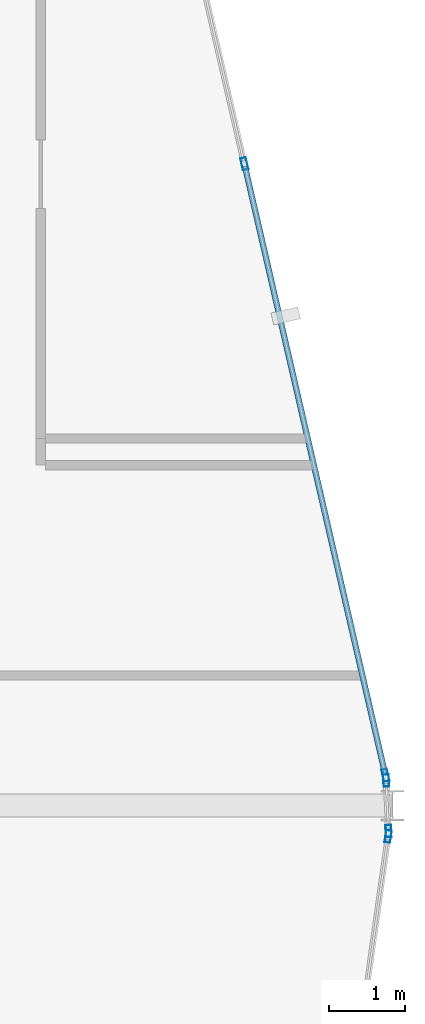
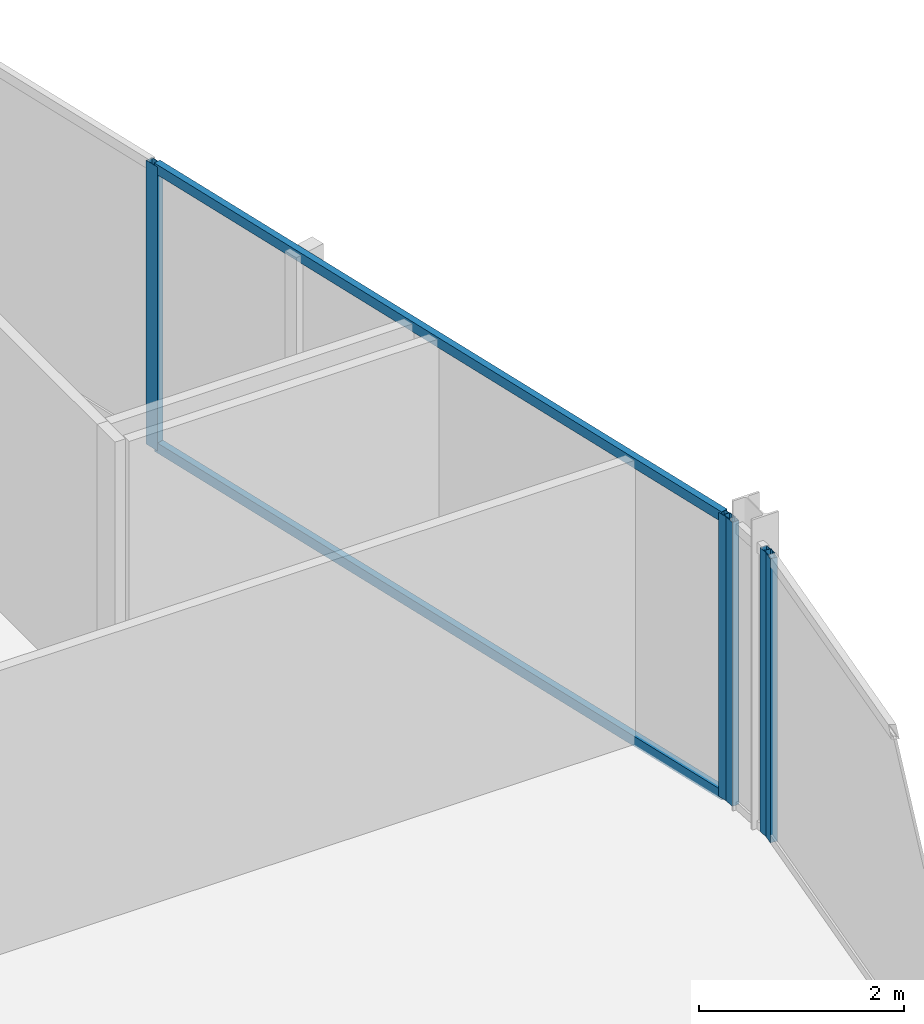
# One storey, part 14 of 28: 7 members, 3 elements without a shape of their own.
"""IFC4 building model written with IfcOpenShell, lengths in metres."""

from ifc_helpers import new_model, si_unit, direction, frame, origin, origin_2d, place, context, subcontext, project, spatial, hollow_rectangle, extrude, material, layer, layer_set, material_profile, profile_set, type_object, element, aggregate, save


model = new_model("IFC4")

# Units and contexts
model_context = context("Model", 3, precision=1e-05, world=origin(), true_north=direction((0.0, 1.0)))
body_context = subcontext(model_context, "Body", "Model", "MODEL_VIEW")
ifc_project = project(units=[si_unit("LENGTHUNIT", "METRE"), si_unit("AREAUNIT", "SQUARE_METRE"), si_unit("VOLUMEUNIT", "CUBIC_METRE"), si_unit("PLANEANGLEUNIT", "RADIAN"), si_unit("MASSUNIT", "GRAM", prefix="KILO")], contexts=[model_context])

# Site, building, storey
site_placement = place(None, origin())
site = spatial("IfcSite", under=ifc_project, at=site_placement, CompositionType="ELEMENT")
building_placement = place(site_placement, origin())
building = spatial("IfcBuilding", under=site, at=building_placement, Name="Keshet Zoharim Tower", CompositionType="ELEMENT")
storey_placement = place(building_placement, frame((0.0, 0.0, 251.0)))
storey = spatial("IfcBuildingStorey", under=building, at=storey_placement, Name="L62", CompositionType="ELEMENT", Elevation=251.0)

# Curtain wall, members
ifc_material = material(Name="Aluminium 6063-T6", Category="aluminium")
ifc_layer = layer(ifc_material, 0.260009765625)
ifc_layer_set = layer_set([ifc_layer], Name="Aluminium 6063-T6")
curtain_wall_type = type_object("IfcCurtainWallType", Name="CW-SYS-06", PredefinedType="NOTDEFINED", material=ifc_layer_set)
curtain_wall_1_placement = place(storey_placement, origin())
curtain_wall_1 = element("IfcCurtainWall", 1, at=curtain_wall_1_placement, inside=storey, type_object=curtain_wall_type, Name="L62 Unitised Curtain Wall 09", PredefinedType="NOTDEFINED")
ifc_material_profile_1 = material_profile(ifc_material, hollow_rectangle(XDim=0.074951171875, YDim=0.159912109375, WallThickness=0.00390625, at=origin_2d()), Name="MUL-75x160")
ifc_profile_set_1 = profile_set([ifc_material_profile_1], Name="Aluminium 6063-T6")
member_type_1 = type_object("IfcMemberType", Name="CWM-M15", PredefinedType="MULLION", material=ifc_profile_set_1)
member_1_placement = place(storey_placement, frame((43.063232421875, 36.291259765625, 0.0), z_axis=(0.0, 0.0, 1.0), x_axis=(0.974398012932, 0.224829963294, 0.0)))
member_1 = element("IfcMember", 2, at=member_1_placement, type_object=member_type_1, Name="CW-06 mullion 3", PredefinedType="MULLION", context=body_context, shape_type="SweptSolid", body=[
    extrude(hollow_rectangle(XDim=0.074951171875, YDim=0.159912109375, WallThickness=0.00390625, at=origin_2d()), origin(), (0.0, 0.0, 1.0), 3.389892578125),
])
member_2_placement = place(storey_placement, frame((44.908203125, 28.296142578125, 0.0), z_axis=(0.0, 0.0, 1.0), x_axis=(0.974398012932, 0.224829963294, 0.0)))
member_2 = element("IfcMember", 3, at=member_2_placement, type_object=member_type_1, Name="CW-06 mullion 4", PredefinedType="MULLION", context=body_context, shape_type="SweptSolid", body=[
    extrude(hollow_rectangle(XDim=0.074951171875, YDim=0.159912109375, WallThickness=0.00390625, at=origin_2d()), origin(), (0.0, 0.0, 1.0), 3.389892578125),
])

curtain_wall_2_placement = place(storey_placement, origin())
curtain_wall_2 = element("IfcCurtainWall", 4, at=curtain_wall_2_placement, inside=storey, type_object=curtain_wall_type, Name="L62 Unitised Curtain Wall 10", PredefinedType="NOTDEFINED")
member_3_placement = place(storey_placement, frame((44.91748046875, 28.22705078125, 0.0), z_axis=(0.0, 0.0, 1.0), x_axis=(0.999040601801, 0.043793560626, 0.0)))
member_3 = element("IfcMember", 5, at=member_3_placement, type_object=member_type_1, Name="CW-06 mullion 1", PredefinedType="MULLION", context=body_context, shape_type="SweptSolid", body=[
    extrude(hollow_rectangle(XDim=0.074951171875, YDim=0.159912109375, WallThickness=0.00390625, at=origin_2d()), origin(), (0.0, 0.0, 1.0), 3.389892578125),
])
member_4_placement = place(storey_placement, frame((44.946533203125, 27.56689453125, 0.0), z_axis=(0.0, 0.0, 1.0), x_axis=(0.999040601801, 0.043793560626, 0.0)))
member_4 = element("IfcMember", 6, at=member_4_placement, type_object=member_type_1, Name="CW-06 mullion 2", PredefinedType="MULLION", context=body_context, shape_type="SweptSolid", body=[
    extrude(hollow_rectangle(XDim=0.074951171875, YDim=0.159912109375, WallThickness=0.00390625, at=origin_2d()), origin(), (0.0, 0.0, 1.0), 3.389892578125),
])
aggregate(curtain_wall_2, [member_3, member_4])

# Curtain wall, member
curtain_wall_3_placement = place(storey_placement, origin())
curtain_wall_3 = element("IfcCurtainWall", 7, at=curtain_wall_3_placement, inside=storey, type_object=curtain_wall_type, Name="L62 Unitised Curtain Wall 11", PredefinedType="NOTDEFINED")
member_5_placement = place(storey_placement, frame((44.943115234375, 27.497314453125, 0.0), z_axis=(0.0, 0.0, 1.0), x_axis=(0.990132057422, -0.140137464177, 0.0)))
member_5 = element("IfcMember", 8, at=member_5_placement, type_object=member_type_1, Name="CW-06 mullion 1", PredefinedType="MULLION", context=body_context, shape_type="SweptSolid", body=[
    extrude(hollow_rectangle(XDim=0.074951171875, YDim=0.159912109375, WallThickness=0.00390625, at=origin_2d()), origin(), (0.0, 0.0, 1.0), 3.389892578125),
])
aggregate(curtain_wall_3, [member_5])

# Member
ifc_material_profile_2 = material_profile(ifc_material, hollow_rectangle(XDim=0.074951171875, YDim=0.1201171875, WallThickness=0.00390625, at=origin_2d()), Name="TRN-75x120")
ifc_profile_set_2 = profile_set([ifc_material_profile_2], Name="Aluminium 6063-T6")
member_type_2 = type_object("IfcMemberType", Name="CWT-T12", PredefinedType="USERDEFINED", material=ifc_profile_set_2)
member_6_placement = place(storey_placement, frame((43.0712890625, 36.25732421875, 0.034912109375), z_axis=(0.224806904107, -0.974403333259, 0.0), x_axis=(0.974403333259, 0.224806904107, 0.0)))
member_6 = element("IfcMember", 9, at=member_6_placement, type_object=member_type_2, Name="CW-06 transom 3.1", ObjectType="TRANSOM", PredefinedType="USERDEFINED", context=body_context, shape_type="SweptSolid", body=[
    extrude(hollow_rectangle(XDim=0.074951171875, YDim=0.1201171875, WallThickness=0.00390625, at=origin_2d()), origin(), (0.0, 0.0, 1.0), 8.13525390625),
])

member_7_placement = place(storey_placement, frame((43.0712890625, 36.25732421875, 3.35498046875), z_axis=(0.224806904107, -0.974403333259, 0.0), x_axis=(0.974403333259, 0.224806904107, 0.0)))
member_7 = element("IfcMember", 10, at=member_7_placement, type_object=member_type_2, Name="CW-06 transom 3.2", ObjectType="TRANSOM", PredefinedType="USERDEFINED", context=body_context, shape_type="SweptSolid", body=[
    extrude(hollow_rectangle(XDim=0.074951171875, YDim=0.1201171875, WallThickness=0.00390625, at=origin_2d()), origin(), (0.0, 0.0, 1.0), 8.13525390625),
])

aggregate(curtain_wall_1, [member_1, member_2, member_6, member_7])

save(model, "model.ifc")
